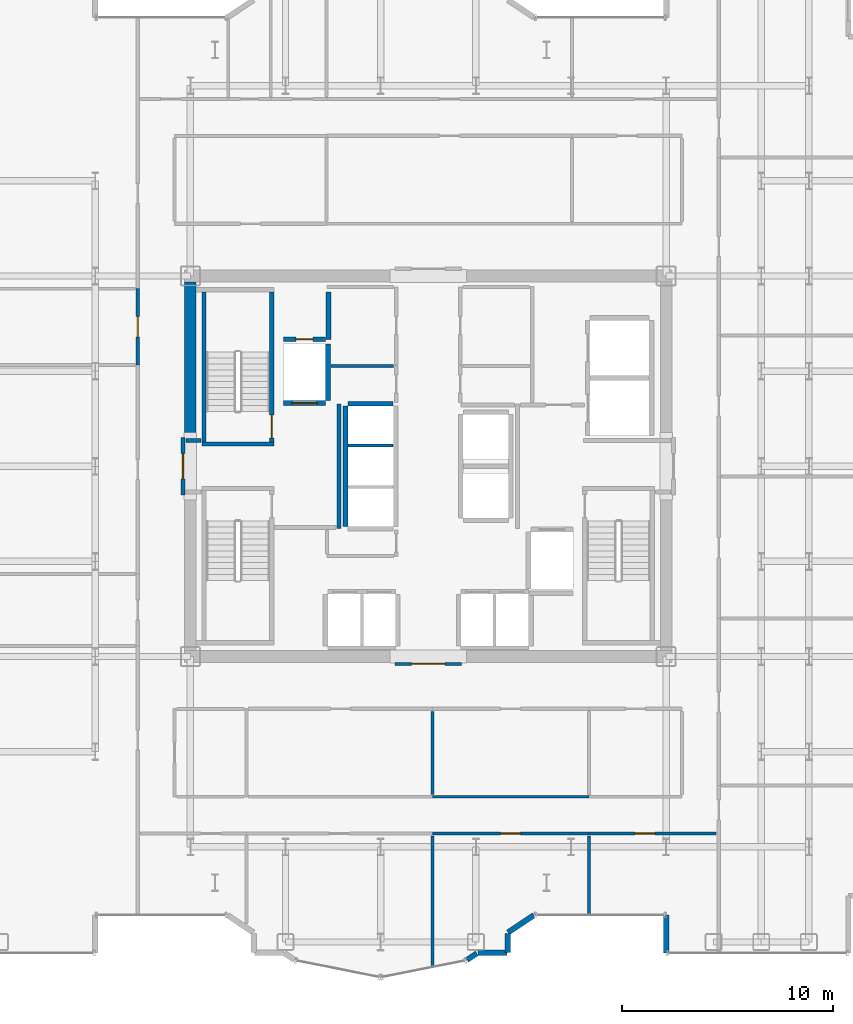
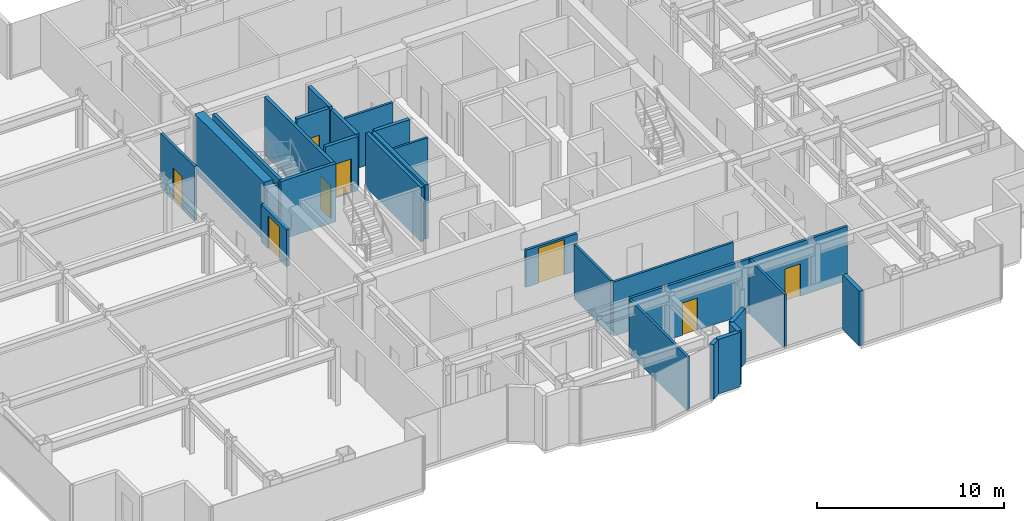
# One storey, part 18 of 23: 28 walls, 8 doors, 8 openings.
"""IFC4 building model written with IfcOpenShell, lengths in metres."""

from ifc_helpers import new_model, si_unit, direction, frame, frame_2d, origin, place, context, subcontext, project, spatial, rectangle, extrude, source, transform, mapped, material, layer, layer_set, type_object, element, fill, save


model = new_model("IFC4")

# Units and contexts
model_context = context("Model", 3, precision=1e-05, world=origin(), true_north=direction((0.0, 1.0)))
body_context = subcontext(model_context, "Body", "Model", "MODEL_VIEW")
ifc_project = project(units=[si_unit("LENGTHUNIT", "METRE"), si_unit("AREAUNIT", "SQUARE_METRE"), si_unit("VOLUMEUNIT", "CUBIC_METRE"), si_unit("PLANEANGLEUNIT", "RADIAN"), si_unit("MASSUNIT", "GRAM", prefix="KILO")], contexts=[model_context])

# Site, building, storey
site_placement = place(None, origin())
site = spatial("IfcSite", under=ifc_project, at=site_placement, CompositionType="ELEMENT")
building_placement = place(site_placement, origin())
building = spatial("IfcBuilding", under=site, at=building_placement, Name="Nefas-Gora Pilgrimage Tower", CompositionType="ELEMENT")
storey_placement = place(building_placement, frame((0.0, 0.0, 167.800048828125)))
storey = spatial("IfcBuildingStorey", under=building, at=storey_placement, Name="L41", CompositionType="ELEMENT", Elevation=167.800048828125)

# Walls
ifc_material_1 = material(Name="Concrete C60/75", Category="concrete")
ifc_layer_1 = layer(ifc_material_1, 0.550048828125)
ifc_layer_set_1 = layer_set([ifc_layer_1], Name="Concrete C60/75")
wall_type_1 = type_object("IfcWallType", Name="SW-CORE-550", PredefinedType="SHEAR", material=ifc_layer_set_1)
shared_shape_1 = source(origin(), body_context, "Body", "SweptSolid", [
    extrude(rectangle(XDim=7.375, YDim=0.550048828125, at=frame_2d((3.6875, 0.0))), origin(), (0.0, 0.0, 1.0), 3.800048828125),
])
wall_1_placement = place(storey_placement, frame((-11.25, 1.35009765625, 0.0), z_axis=(0.0, 0.0, 1.0), x_axis=(0.0, 1.0, 0.0)))
element("IfcWall", 1, at=wall_1_placement, inside=storey, type_object=wall_type_1, Name="L41 Core Shear Wall W-North", PredefinedType="SHEAR", context=body_context, shape_type="MappedRepresentation", body=[
    mapped(shared_shape_1, transform((0.0, 0.0, 0.0), x_axis=(1.0, 0.0, 0.0), y_axis=(0.0, 1.0, 0.0), z_axis=(0.0, 0.0, 1.0), scale=1.0)),
])
ifc_material_2 = material(Name="Precast concrete C40/50", Category="concrete")
ifc_layer_2 = layer(ifc_material_2, 0.260009765625)
ifc_layer_set_2 = layer_set([ifc_layer_2], Name="Precast concrete C40/50")
wall_type_2 = type_object("IfcWallType", Name="EW-PORTAL-260", PredefinedType="SOLIDWALL", material=ifc_layer_set_2)
shared_shape_2 = source(origin(), body_context, "Body", "SweptSolid", [
    extrude(rectangle(XDim=1.800048828125, YDim=0.260009765625, at=frame_2d((0.89990234375, 0.0))), origin(), (0.0, 0.0, 1.0), 3.550048828125),
])
wall_2_placement = place(storey_placement, frame((11.25, -21.219970703125, 0.0), z_axis=(0.0, 0.0, 1.0), x_axis=(0.0, -1.0, 0.0)))
element("IfcWall", 2, at=wall_2_placement, inside=storey, type_object=wall_type_2, Name="L41 Lobe Shoulder Precast Spandrel Pier 1", PredefinedType="SOLIDWALL", context=body_context, shape_type="MappedRepresentation", body=[
    mapped(shared_shape_2, transform((0.0, 0.0, 0.0), x_axis=(1.0, 0.0, 0.0), y_axis=(0.0, 1.0, 0.0), z_axis=(0.0, 0.0, 1.0), scale=1.0)),
])
shared_shape_3 = source(origin(), body_context, "Body", "SweptSolid", [
    extrude(rectangle(XDim=1.468994140625, YDim=0.260009765625, at=frame_2d((0.734375, 0.0))), origin(), (0.0, 0.0, 1.0), 3.550048828125),
])
wall_3_placement = place(storey_placement, frame((3.773193359375, -22.0517578125, 0.0), z_axis=(0.0, 0.0, 1.0), x_axis=(0.831461760506, 0.555581983884, 0.0)))
element("IfcWall", 3, at=wall_3_placement, inside=storey, type_object=wall_type_2, Name="L41 Lobe Shoulder Precast Spandrel Pier 36", PredefinedType="SOLIDWALL", context=body_context, shape_type="MappedRepresentation", body=[
    mapped(shared_shape_3, transform((0.0, 0.0, 0.0), x_axis=(1.0, 0.0, 0.0), y_axis=(0.0, 1.0, 0.0), z_axis=(0.0, 0.0, 1.0), scale=1.0)),
])
shared_shape_4 = source(origin(), body_context, "Body", "SweptSolid", [
    extrude(rectangle(XDim=0.896728515625, YDim=0.260009765625, at=frame_2d((0.4482421875, 0.0))), origin(), (0.0, 0.0, 1.0), 3.550048828125),
])
wall_4_placement = place(storey_placement, frame((3.75, -22.991943359375, 0.0), z_axis=(0.0, 0.0, 1.0), x_axis=(0.0, 1.0, 0.0)))
element("IfcWall", 4, at=wall_4_placement, inside=storey, type_object=wall_type_2, Name="L41 Lobe Shoulder Precast Spandrel Pier 35", PredefinedType="SOLIDWALL", context=body_context, shape_type="MappedRepresentation", body=[
    mapped(shared_shape_4, transform((0.0, 0.0, 0.0), x_axis=(1.0, 0.0, 0.0), y_axis=(0.0, 1.0, 0.0), z_axis=(0.0, 0.0, 1.0), scale=1.0)),
])
shared_shape_5 = source(origin(), body_context, "Body", "SweptSolid", [
    extrude(rectangle(XDim=1.369873046875, YDim=0.260009765625, at=frame_2d((0.68505859375, 0.0))), origin(), (0.0, 0.0, 1.0), 3.550048828125),
])
wall_5_placement = place(storey_placement, frame((2.35205078125, -23.02001953125, 0.0), z_axis=(0.0, 0.0, 1.0), x_axis=(1.0, 0.0, 0.0)))
element("IfcWall", 5, at=wall_5_placement, inside=storey, type_object=wall_type_2, Name="L41 Lobe Shoulder Precast Spandrel Pier 34", PredefinedType="SOLIDWALL", context=body_context, shape_type="MappedRepresentation", body=[
    mapped(shared_shape_5, transform((0.0, 0.0, 0.0), x_axis=(1.0, 0.0, 0.0), y_axis=(0.0, 1.0, 0.0), z_axis=(0.0, 0.0, 1.0), scale=1.0)),
])
shared_shape_6 = source(origin(), body_context, "Body", "SweptSolid", [
    extrude(rectangle(XDim=0.5654296875, YDim=0.260009765625, at=frame_2d((0.28271484375, 0.0))), origin(), (0.0, 0.0, 1.0), 3.550048828125),
])
wall_6_placement = place(storey_placement, frame((1.83056640625, -23.349609375, 0.0), z_axis=(0.0, 0.0, 1.0), x_axis=(0.831651492666, 0.555297933317, 0.0)))
element("IfcWall", 6, at=wall_6_placement, inside=storey, type_object=wall_type_2, Name="L41 Lobe Shoulder Precast Spandrel Pier 33", PredefinedType="SOLIDWALL", context=body_context, shape_type="MappedRepresentation", body=[
    mapped(shared_shape_6, transform((0.0, 0.0, 0.0), x_axis=(1.0, 0.0, 0.0), y_axis=(0.0, 1.0, 0.0), z_axis=(0.0, 0.0, 1.0), scale=1.0)),
])
ifc_material_3 = material(Name="Concrete C45/55", Category="concrete")
ifc_layer_3 = layer(ifc_material_3, 0.199951171875)
ifc_layer_set_3 = layer_set([ifc_layer_3], Name="Concrete C45/55")
wall_type_3 = type_object("IfcWallType", Name="IW-STAIR-200", PredefinedType="SOLIDWALL", material=ifc_layer_set_3)
shared_shape_7 = source(origin(), body_context, "Body", "SweptSolid", [
    extrude(rectangle(XDim=3.39990234375, YDim=0.199951171875, at=frame_2d((1.699951171875, 0.0))), origin(), (0.0, 0.0, 1.0), 3.800048828125),
])
wall_7_placement = place(storey_placement, frame((-7.300048828125, 1.050048828125, 0.0), z_axis=(0.0, 0.0, 1.0), x_axis=(-1.0, 0.0, 0.0)))
element("IfcWall", 7, at=wall_7_placement, inside=storey, type_object=wall_type_3, Name="L41 Stairwell Shear Wall ST-01-near", PredefinedType="SOLIDWALL", context=body_context, shape_type="MappedRepresentation", body=[
    mapped(shared_shape_7, transform((0.0, 0.0, 0.0), x_axis=(1.0, 0.0, 0.0), y_axis=(0.0, 1.0, 0.0), z_axis=(0.0, 0.0, 1.0), scale=1.0)),
])

# Wall, opening, door
shared_shape_8 = source(origin(), body_context, "Body", "SweptSolid", [
    extrude(rectangle(XDim=7.10009765625, YDim=0.199951171875, at=frame_2d((3.550048828125, 0.0))), origin(), (0.0, 0.0, 1.0), 3.800048828125),
])
wall_8_placement = place(storey_placement, frame((-7.39990234375, 1.14990234375, 0.0), z_axis=(0.0, 0.0, 1.0), x_axis=(0.0, 1.0, 0.0)))
wall_8 = element("IfcWall", 8, at=wall_8_placement, inside=storey, type_object=wall_type_3, Name="L41 Stairwell Shear Wall ST-01-left", PredefinedType="SOLIDWALL", context=body_context, shape_type="MappedRepresentation", body=[
    mapped(shared_shape_8, transform((0.0, 0.0, 0.0), x_axis=(1.0, 0.0, 0.0), y_axis=(0.0, 1.0, 0.0), z_axis=(0.0, 0.0, 1.0), scale=1.0)),
])
opening_1_placement = place(wall_8_placement, frame((0.179931640625, 0.0, 0.0)))
opening_1 = element("IfcOpeningElement", 9, at=opening_1_placement, cuts=wall_8, Name="Opening ID-ST1", PredefinedType="OPENING", context=body_context, shape_type="SweptSolid", body=[
    extrude(rectangle(XDim=1.10009765625, YDim=2.14990234375, at=frame_2d((0.550048828125, 1.074951171875))), frame((0.0, 0.10986328125, 0.0), z_axis=(0.0, -1.0, 0.0), x_axis=(1.0, 0.0, 0.0)), (0.0, 0.0, 1.0), 0.219970703125),
])
ifc_material_4 = material(Name="Painted galvanised steel fire stair door", Category="steel")
door_type_1 = type_object("IfcDoorType", Name="DR-INT-STAIR-1100", OperationType="NOTDEFINED", PredefinedType="DOOR", material=ifc_material_4)
shared_shape_9 = source(origin(), body_context, "Body", "SweptSolid", [
    extrude(rectangle(XDim=1.10009765625, YDim=2.14990234375, at=frame_2d((0.550048828125, 1.074951171875))), frame((0.0, 0.02490234375, 0.0), z_axis=(0.0, -1.0, 0.0), x_axis=(1.0, 0.0, 0.0)), (0.0, 0.0, 1.0), 0.050048828125),
])
door_1_placement = place(opening_1_placement, origin())
door_1 = element("IfcDoor", 10, at=door_1_placement, inside=storey, type_object=door_type_1, Name="L41 Protected Exit Stair Door ST-01", OperationType="SINGLE_SWING_LEFT", OverallHeight=2.14990234375, OverallWidth=1.10009765625, PredefinedType="DOOR", context=body_context, shape_type="MappedRepresentation", body=[
    mapped(shared_shape_9, transform((0.0, 0.0, 0.0), x_axis=(1.0, 0.0, 0.0), y_axis=(0.0, 1.0, 0.0), z_axis=(0.0, 0.0, 1.0), scale=1.0)),
])
fill(opening_1, door_1)

# Wall
wall_9_placement = place(storey_placement, frame((-10.60009765625, 1.14990234375, 0.0), z_axis=(0.0, 0.0, 1.0), x_axis=(0.0, 1.0, 0.0)))
element("IfcWall", 11, at=wall_9_placement, inside=storey, type_object=wall_type_3, Name="L41 Stairwell Shear Wall ST-01-right", PredefinedType="SOLIDWALL", context=body_context, shape_type="MappedRepresentation", body=[
    mapped(shared_shape_8, transform((0.0, 0.0, 0.0), x_axis=(1.0, 0.0, 0.0), y_axis=(0.0, 1.0, 0.0), z_axis=(0.0, 0.0, 1.0), scale=1.0)),
])

# Wall, opening, door
ifc_material_5 = material(Name="Concrete C40/50", Category="concrete")
ifc_layer_4 = layer(ifc_material_5, 0.219970703125)
ifc_layer_set_4 = layer_set([ifc_layer_4], Name="Concrete C40/50")
wall_type_4 = type_object("IfcWallType", Name="IW-SHAFT-220", PredefinedType="SOLIDWALL", material=ifc_layer_set_4)
shared_shape_10 = source(origin(), body_context, "Body", "SweptSolid", [
    extrude(rectangle(XDim=2.0, YDim=0.219970703125, at=frame_2d((1.0, 0.0))), origin(), (0.0, 0.0, 1.0), 3.534912109375),
])
wall_10_placement = place(storey_placement, frame((-6.85009765625, 2.989990234375, 0.0), z_axis=(0.0, 0.0, 1.0), x_axis=(1.0, 0.0, 0.0)))
wall_10 = element("IfcWall", 12, at=wall_10_placement, inside=storey, type_object=wall_type_4, Name="L41 Hoistway Wall FFL-01-S", PredefinedType="SOLIDWALL", context=body_context, shape_type="MappedRepresentation", body=[
    mapped(shared_shape_10, transform((0.0, 0.0, 0.0), x_axis=(1.0, 0.0, 0.0), y_axis=(0.0, 1.0, 0.0), z_axis=(0.0, 0.0, 1.0), scale=1.0)),
])
opening_2_placement = place(wall_10_placement, frame((0.39990234375, 0.0, 0.0)))
opening_2 = element("IfcOpeningElement", 13, at=opening_2_placement, cuts=wall_10, Name="Opening LD-FF", PredefinedType="OPENING", context=body_context, shape_type="SweptSolid", body=[
    extrude(rectangle(XDim=1.199951171875, YDim=2.199951171875, at=frame_2d((0.60009765625, 1.10009765625))), frame((0.0, 0.119873046875, 0.0), z_axis=(0.0, -1.0, 0.0), x_axis=(1.0, 0.0, 0.0)), (0.0, 0.0, 1.0), 0.239990234375),
])
ifc_material_6 = material(Name="Fire-service sliding lift landing door")
door_type_2 = type_object("IfcDoorType", Name="DR-LIFT-FSAE-1200", OperationType="SLIDING_TO_LEFT", PredefinedType="DOOR", material=ifc_material_6)
shared_shape_11 = source(origin(), body_context, "Body", "SweptSolid", [
    extrude(rectangle(XDim=1.199951171875, YDim=2.199951171875, at=frame_2d((0.60009765625, 1.10009765625))), frame((0.0, 0.02490234375, 0.0), z_axis=(0.0, -1.0, 0.0), x_axis=(1.0, 0.0, 0.0)), (0.0, 0.0, 1.0), 0.050048828125),
])
door_2_placement = place(opening_2_placement, origin())
door_2 = element("IfcDoor", 14, at=door_2_placement, inside=storey, type_object=door_type_2, Name="L41 Sliding Lift Landing Door FFL-01", OperationType="SLIDING_TO_LEFT", OverallHeight=2.199951171875, OverallWidth=1.199951171875, PredefinedType="DOOR", context=body_context, shape_type="MappedRepresentation", body=[
    mapped(shared_shape_11, transform((0.0, 0.0, 0.0), x_axis=(1.0, 0.0, 0.0), y_axis=(0.0, 1.0, 0.0), z_axis=(0.0, 0.0, 1.0), scale=1.0)),
])
fill(opening_2, door_2)

# Walls
shared_shape_12 = source(origin(), body_context, "Body", "SweptSolid", [
    extrude(rectangle(XDim=2.679931640625, YDim=0.219970703125, at=frame_2d((1.33984375, 0.0))), origin(), (0.0, 0.0, 1.0), 3.534912109375),
])
wall_11_placement = place(storey_placement, frame((-4.739990234375, 3.110107421875, 0.0), z_axis=(0.0, 0.0, 1.0), x_axis=(0.0, 1.0, 0.0)))
element("IfcWall", 15, at=wall_11_placement, inside=storey, type_object=wall_type_4, Name="L41 Hoistway Wall FFL-01-E", PredefinedType="SOLIDWALL", context=body_context, shape_type="MappedRepresentation", body=[
    mapped(shared_shape_12, transform((0.0, 0.0, 0.0), x_axis=(1.0, 0.0, 0.0), y_axis=(0.0, 1.0, 0.0), z_axis=(0.0, 0.0, 1.0), scale=1.0)),
])
shared_shape_13 = source(origin(), body_context, "Body", "SweptSolid", [
    extrude(rectangle(XDim=5.7001953125, YDim=0.219970703125, at=frame_2d((2.85009765625, 0.0))), origin(), (0.0, 0.0, 1.0), 3.534912109375),
])
wall_12_placement = place(storey_placement, frame((-3.909912109375, 2.85009765625, 0.0), z_axis=(0.0, 0.0, 1.0), x_axis=(0.0, -1.0, 0.0)))
element("IfcWall", 16, at=wall_12_placement, inside=storey, type_object=wall_type_4, Name="L41 Hoistway Wall PL3-01-03-W", PredefinedType="SOLIDWALL", context=body_context, shape_type="MappedRepresentation", body=[
    mapped(shared_shape_13, transform((0.0, 0.0, 0.0), x_axis=(1.0, 0.0, 0.0), y_axis=(0.0, 1.0, 0.0), z_axis=(0.0, 0.0, 1.0), scale=1.0)),
])
shared_shape_14 = source(origin(), body_context, "Body", "SweptSolid", [
    extrude(rectangle(XDim=2.130126953125, YDim=0.219970703125, at=frame_2d((1.06494140625, 0.0))), origin(), (0.0, 0.0, 1.0), 3.534912109375),
])
wall_13_placement = place(storey_placement, frame((-1.659912109375, 2.9599609375, 0.0), z_axis=(0.0, 0.0, 1.0), x_axis=(-1.0, 0.0, 0.0)))
element("IfcWall", 17, at=wall_13_placement, inside=storey, type_object=wall_type_4, Name="L41 Hoistway Wall PL3-03-N", PredefinedType="SOLIDWALL", context=body_context, shape_type="MappedRepresentation", body=[
    mapped(shared_shape_14, transform((0.0, 0.0, 0.0), x_axis=(1.0, 0.0, 0.0), y_axis=(0.0, 1.0, 0.0), z_axis=(0.0, 0.0, 1.0), scale=1.0)),
])
ifc_material_7 = material(Name="Gypsum twin-stud partition")
ifc_layer_5 = layer(ifc_material_7, 0.139892578125)
ifc_layer_set_5 = layer_set([ifc_layer_5], Name="Gypsum twin-stud partition")
wall_type_5 = type_object("IfcWallType", Name="IW-UNIT-140", PredefinedType="PARTITIONING", material=ifc_layer_set_5)
shared_shape_15 = source(origin(), body_context, "Body", "SweptSolid", [
    extrude(rectangle(XDim=2.130126953125, YDim=0.139892578125, at=frame_2d((1.06494140625, 0.0))), origin(), (0.0, 0.0, 1.0), 3.534912109375),
])
wall_14_placement = place(storey_placement, frame((-3.7900390625, 0.97509765625, 0.0), z_axis=(0.0, 0.0, 1.0), x_axis=(1.0, 0.0, 0.0)))
element("IfcWall", 18, at=wall_14_placement, inside=storey, type_object=wall_type_5, Name="L41 Hoistway Wall PL3-02-03-DIV", PredefinedType="PARTITIONING", context=body_context, shape_type="MappedRepresentation", body=[
    mapped(shared_shape_15, transform((0.0, 0.0, 0.0), x_axis=(1.0, 0.0, 0.0), y_axis=(0.0, 1.0, 0.0), z_axis=(0.0, 0.0, 1.0), scale=1.0)),
])

# Wall, opening, door
ifc_material_8 = material(Name="Gypsum fire-rated shaftwall")
ifc_layer_6 = layer(ifc_material_8, 0.199951171875)
ifc_layer_set_6 = layer_set([ifc_layer_6], Name="Gypsum fire-rated shaftwall")
wall_type_6 = type_object("IfcWallType", Name="IW-FFLOB-200", PredefinedType="PARTITIONING", material=ifc_layer_set_6)
shared_shape_16 = source(origin(), body_context, "Body", "SweptSolid", [
    extrude(rectangle(XDim=2.7001953125, YDim=0.199951171875, at=frame_2d((1.35009765625, 0.0))), origin(), (0.0, 0.0, 1.0), 2.425048828125),
])
wall_15_placement = place(storey_placement, frame((-11.60009765625, -1.35009765625, 0.0), z_axis=(0.0, 0.0, 1.0), x_axis=(0.0, 1.0, 0.0)))
wall_15 = element("IfcWall", 19, at=wall_15_placement, inside=storey, type_object=wall_type_6, Name="L41 FF Lobby West Portal Wall 4", PredefinedType="PARTITIONING", context=body_context, shape_type="MappedRepresentation", body=[
    mapped(shared_shape_16, transform((0.0, 0.0, 0.0), x_axis=(1.0, 0.0, 0.0), y_axis=(0.0, 1.0, 0.0), z_axis=(0.0, 0.0, 1.0), scale=1.0)),
])
opening_3_placement = place(wall_15_placement, frame((0.75, 0.0, 0.0)))
opening_3 = element("IfcOpeningElement", 20, at=opening_3_placement, cuts=wall_15, Name="Opening ID-FF1", PredefinedType="OPENING", context=body_context, shape_type="SweptSolid", body=[
    extrude(rectangle(XDim=1.199951171875, YDim=2.14990234375, at=frame_2d((0.60009765625, 1.074951171875))), frame((0.0, 0.10986328125, 0.0), z_axis=(0.0, -1.0, 0.0), x_axis=(1.0, 0.0, 0.0)), (0.0, 0.0, 1.0), 0.219970703125),
])
ifc_material_9 = material(Name="Smoke-sealed steel firefighting lobby door", Category="steel")
door_type_3 = type_object("IfcDoorType", Name="DR-INT-FFLOB-1200", OperationType="NOTDEFINED", PredefinedType="DOOR", material=ifc_material_9)
shared_shape_17 = source(origin(), body_context, "Body", "SweptSolid", [
    extrude(rectangle(XDim=1.199951171875, YDim=2.14990234375, at=frame_2d((0.60009765625, 1.074951171875))), frame((0.0, 0.02490234375, 0.0), z_axis=(0.0, -1.0, 0.0), x_axis=(1.0, 0.0, 0.0)), (0.0, 0.0, 1.0), 0.050048828125),
])
door_3_placement = place(opening_3_placement, origin())
door_3 = element("IfcDoor", 21, at=door_3_placement, inside=storey, type_object=door_type_3, Name="L41 FF Lobby West Portal Door 2", OperationType="SINGLE_SWING_LEFT", OverallHeight=2.14990234375, OverallWidth=1.199951171875, PredefinedType="DOOR", context=body_context, shape_type="MappedRepresentation", body=[
    mapped(shared_shape_17, transform((0.0, 0.0, 0.0), x_axis=(1.0, 0.0, 0.0), y_axis=(0.0, 1.0, 0.0), z_axis=(0.0, 0.0, 1.0), scale=1.0)),
])
fill(opening_3, door_3)

# Walls
shared_shape_18 = source(origin(), body_context, "Body", "SweptSolid", [
    extrude(rectangle(XDim=5.89990234375, YDim=0.199951171875, at=frame_2d((2.949951171875, 0.0))), origin(), (0.0, 0.0, 1.0), 3.534912109375),
])
wall_16_placement = place(storey_placement, frame((-4.219970703125, -2.949951171875, 0.0), z_axis=(0.0, 0.0, 1.0), x_axis=(0.0, 1.0, 0.0)))
element("IfcWall", 22, at=wall_16_placement, inside=storey, type_object=wall_type_6, Name="L41 FF Lobby West Inner Wall Wall 5", PredefinedType="PARTITIONING", context=body_context, shape_type="MappedRepresentation", body=[
    mapped(shared_shape_18, transform((0.0, 0.0, 0.0), x_axis=(1.0, 0.0, 0.0), y_axis=(0.0, 1.0, 0.0), z_axis=(0.0, 0.0, 1.0), scale=1.0)),
])
shared_shape_19 = source(origin(), body_context, "Body", "SweptSolid", [
    extrude(rectangle(XDim=0.719970703125, YDim=0.199951171875, at=frame_2d((0.35986328125, 0.0))), origin(), (0.0, 0.0, 1.0), 3.534912109375),
])
wall_17_placement = place(storey_placement, frame((-11.4599609375, 1.219970703125, 0.0), z_axis=(0.0, 0.0, 1.0), x_axis=(1.0, 0.0, 0.0)))
element("IfcWall", 23, at=wall_17_placement, inside=storey, type_object=wall_type_6, Name="L41 FF Lobby West Throat N Wall 7", PredefinedType="PARTITIONING", context=body_context, shape_type="MappedRepresentation", body=[
    mapped(shared_shape_19, transform((0.0, 0.0, 0.0), x_axis=(1.0, 0.0, 0.0), y_axis=(0.0, 1.0, 0.0), z_axis=(0.0, 0.0, 1.0), scale=1.0)),
])
shared_shape_20 = source(origin(), body_context, "Body", "SweptSolid", [
    extrude(rectangle(XDim=2.9501953125, YDim=0.139892578125, at=frame_2d((1.47509765625, 0.0))), origin(), (0.0, 0.0, 1.0), 3.534912109375),
])
wall_18_placement = place(storey_placement, frame((-4.590087890625, 4.75, 0.0), z_axis=(0.0, 0.0, 1.0), x_axis=(1.0, 0.0, 0.0)))
element("IfcWall", 24, at=wall_18_placement, inside=storey, type_object=wall_type_5, Name="L41 Housekeeping and Linen Store Partition Wall 19", PredefinedType="PARTITIONING", context=body_context, shape_type="MappedRepresentation", body=[
    mapped(shared_shape_20, transform((0.0, 0.0, 0.0), x_axis=(1.0, 0.0, 0.0), y_axis=(0.0, 1.0, 0.0), z_axis=(0.0, 0.0, 1.0), scale=1.0)),
])

# Wall, opening, door
ifc_material_10 = material(Name="Gypsum acoustic stud partition")
ifc_layer_7 = layer(ifc_material_10, 0.159912109375)
ifc_layer_set_7 = layer_set([ifc_layer_7], Name="Gypsum acoustic stud partition")
wall_type_7 = type_object("IfcWallType", Name="IW-CORR-160", PredefinedType="PARTITIONING", material=ifc_layer_set_7)
shared_shape_21 = source(origin(), body_context, "Body", "SweptSolid", [
    extrude(rectangle(XDim=3.610107421875, YDim=0.159912109375, at=frame_2d((1.80517578125, 0.0))), origin(), (0.0, 0.0, 1.0), 3.534912109375),
])
wall_19_placement = place(storey_placement, frame((-13.739990234375, 4.794921875, 0.0), z_axis=(0.0, 0.0, 1.0), x_axis=(0.0, 1.0, 0.0)))
wall_19 = element("IfcWall", 25, at=wall_19_placement, inside=storey, type_object=wall_type_7, Name="L41 Pilgrim Fellowship Seminar Room Partition Wall 38", PredefinedType="PARTITIONING", context=body_context, shape_type="MappedRepresentation", body=[
    mapped(shared_shape_21, transform((0.0, 0.0, 0.0), x_axis=(1.0, 0.0, 0.0), y_axis=(0.0, 1.0, 0.0), z_axis=(0.0, 0.0, 1.0), scale=1.0)),
])
opening_4_placement = place(wall_19_placement, frame((1.330078125, 0.0, 0.0)))
opening_4 = element("IfcOpeningElement", 26, at=opening_4_placement, cuts=wall_19, Name="Opening ID-GR1", PredefinedType="OPENING", context=body_context, shape_type="SweptSolid", body=[
    extrude(rectangle(XDim=0.949951171875, YDim=2.10009765625, at=frame_2d((0.47509765625, 1.050048828125))), frame((0.0, 0.08984375, 0.0), z_axis=(0.0, -1.0, 0.0), x_axis=(1.0, 0.0, 0.0)), (0.0, 0.0, 1.0), 0.179931640625),
])
ifc_material_11 = material(Name="Solid core oak fire-rated guest entrance door")
door_type_4 = type_object("IfcDoorType", Name="DR-INT-GUEST-950", OperationType="NOTDEFINED", PredefinedType="DOOR", material=ifc_material_11)
shared_shape_22 = source(origin(), body_context, "Body", "SweptSolid", [
    extrude(rectangle(XDim=0.949951171875, YDim=2.10009765625, at=frame_2d((0.47509765625, 1.050048828125))), frame((0.0, 0.02490234375, 0.0), z_axis=(0.0, -1.0, 0.0), x_axis=(1.0, 0.0, 0.0)), (0.0, 0.0, 1.0), 0.050048828125),
])
door_4_placement = place(opening_4_placement, origin())
door_4 = element("IfcDoor", 27, at=door_4_placement, inside=storey, type_object=door_type_4, Name="L41 Pilgrim Fellowship Seminar Room Door 16", OperationType="SINGLE_SWING_LEFT", OverallHeight=2.10009765625, OverallWidth=0.949951171875, PredefinedType="DOOR", context=body_context, shape_type="MappedRepresentation", body=[
    mapped(shared_shape_22, transform((0.0, 0.0, 0.0), x_axis=(1.0, 0.0, 0.0), y_axis=(0.0, 1.0, 0.0), z_axis=(0.0, 0.0, 1.0), scale=1.0)),
])
fill(opening_4, door_4)

shared_shape_23 = source(origin(), body_context, "Body", "SweptSolid", [
    extrude(rectangle(XDim=6.025146484375, YDim=0.159912109375, at=frame_2d((3.0126953125, 0.0))), origin(), (0.0, 0.0, 1.0), 3.534912109375),
])
wall_20_placement = place(storey_placement, frame((7.594970703125, -17.3701171875, 0.0), z_axis=(0.0, 0.0, 1.0), x_axis=(1.0, 0.0, 0.0)))
wall_20 = element("IfcWall", 28, at=wall_20_placement, inside=storey, type_object=wall_type_7, Name="L41 Pilgrim Contemplative Lounge Partition Wall 84", PredefinedType="PARTITIONING", context=body_context, shape_type="MappedRepresentation", body=[
    mapped(shared_shape_23, transform((0.0, 0.0, 0.0), x_axis=(1.0, 0.0, 0.0), y_axis=(0.0, 1.0, 0.0), z_axis=(0.0, 0.0, 1.0), scale=1.0)),
])
opening_5_placement = place(wall_20_placement, frame((2.17626953125, 0.0, 0.0)))
opening_5 = element("IfcOpeningElement", 29, at=opening_5_placement, cuts=wall_20, Name="Opening ID-GR1", PredefinedType="OPENING", context=body_context, shape_type="SweptSolid", body=[
    extrude(rectangle(XDim=0.949951171875, YDim=2.10009765625, at=frame_2d((0.47509765625, 1.050048828125))), frame((0.0, 0.08984375, 0.0), z_axis=(0.0, -1.0, 0.0), x_axis=(1.0, 0.0, 0.0)), (0.0, 0.0, 1.0), 0.179931640625),
])
door_5_placement = place(opening_5_placement, origin())
door_5 = element("IfcDoor", 30, at=door_5_placement, inside=storey, type_object=door_type_4, Name="L41 Pilgrim Contemplative Lounge Door 37", OperationType="SINGLE_SWING_RIGHT", OverallHeight=2.10009765625, OverallWidth=0.949951171875, PredefinedType="DOOR", context=body_context, shape_type="MappedRepresentation", body=[
    mapped(shared_shape_22, transform((0.0, 0.0, 0.0), x_axis=(1.0, 0.0, 0.0), y_axis=(0.0, 1.0, 0.0), z_axis=(0.0, 0.0, 1.0), scale=1.0)),
])
fill(opening_5, door_5)

shared_shape_24 = source(origin(), body_context, "Body", "SweptSolid", [
    extrude(rectangle(XDim=3.16015625, YDim=0.159912109375, at=frame_2d((1.580078125, 0.0))), origin(), (0.0, 0.0, 1.0), 2.425048828125),
])
wall_21_placement = place(storey_placement, frame((-1.580078125, -9.35009765625, 0.0), z_axis=(0.0, 0.0, 1.0), x_axis=(1.0, 0.0, 0.0)))
wall_21 = element("IfcWall", 31, at=wall_21_placement, inside=storey, type_object=wall_type_7, Name="L41 Central Lift Lobby South Portal Wall 16", PredefinedType="PARTITIONING", context=body_context, shape_type="MappedRepresentation", body=[
    mapped(shared_shape_24, transform((0.0, 0.0, 0.0), x_axis=(1.0, 0.0, 0.0), y_axis=(0.0, 1.0, 0.0), z_axis=(0.0, 0.0, 1.0), scale=1.0)),
])
opening_6_placement = place(wall_21_placement, frame((0.780029296875, 0.0, 0.0)))
opening_6 = element("IfcOpeningElement", 32, at=opening_6_placement, cuts=wall_21, Name="Opening ID-HL1", PredefinedType="OPENING", context=body_context, shape_type="SweptSolid", body=[
    extrude(rectangle(XDim=1.60009765625, YDim=2.300048828125, at=frame_2d((0.800048828125, 1.14990234375))), frame((0.0, 0.08984375, 0.0), z_axis=(0.0, -1.0, 0.0), x_axis=(1.0, 0.0, 0.0)), (0.0, 0.0, 1.0), 0.179931640625),
])
ifc_material_12 = material(Name="Double acoustic timber assembly hall door", Category="wood")
door_type_5 = type_object("IfcDoorType", Name="DR-INT-HALL-1600", OperationType="DOUBLE_DOOR_SINGLE_SWING", PredefinedType="DOOR", material=ifc_material_12)
shared_shape_25 = source(origin(), body_context, "Body", "SweptSolid", [
    extrude(rectangle(XDim=1.60009765625, YDim=2.300048828125, at=frame_2d((0.800048828125, 1.14990234375))), frame((0.0, 0.02490234375, 0.0), z_axis=(0.0, -1.0, 0.0), x_axis=(1.0, 0.0, 0.0)), (0.0, 0.0, 1.0), 0.050048828125),
])
door_6_placement = place(opening_6_placement, origin())
door_6 = element("IfcDoor", 33, at=door_6_placement, inside=storey, type_object=door_type_5, Name="L41 Central Lift Lobby South Portal Door 6", OperationType="DOUBLE_DOOR_SINGLE_SWING", OverallHeight=2.300048828125, OverallWidth=1.60009765625, PredefinedType="DOOR", context=body_context, shape_type="MappedRepresentation", body=[
    mapped(shared_shape_25, transform((0.0, 0.0, 0.0), x_axis=(1.0, 0.0, 0.0), y_axis=(0.0, 1.0, 0.0), z_axis=(0.0, 0.0, 1.0), scale=1.0)),
])
fill(opening_6, door_6)

# Wall
shared_shape_26 = source(origin(), body_context, "Body", "SweptSolid", [
    extrude(rectangle(XDim=3.929931640625, YDim=0.139892578125, at=frame_2d((1.96484375, 0.0))), origin(), (0.0, 0.0, 1.0), 3.534912109375),
])
wall_22_placement = place(storey_placement, frame((0.195068359375, -15.52001953125, 0.0), z_axis=(0.0, 0.0, 1.0), x_axis=(0.0, 1.0, 0.0)))
element("IfcWall", 34, at=wall_22_placement, inside=storey, type_object=wall_type_5, Name="L41 Pilgrim Contemplative Lounge Partition Wall 78", PredefinedType="PARTITIONING", context=body_context, shape_type="MappedRepresentation", body=[
    mapped(shared_shape_26, transform((0.0, 0.0, 0.0), x_axis=(1.0, 0.0, 0.0), y_axis=(0.0, 1.0, 0.0), z_axis=(0.0, 0.0, 1.0), scale=1.0)),
])

# Wall, opening, door
shared_shape_27 = source(origin(), body_context, "Body", "SweptSolid", [
    extrude(rectangle(XDim=7.409912109375, YDim=0.159912109375, at=frame_2d((3.705078125, 0.0))), origin(), (0.0, 0.0, 1.0), 3.534912109375),
])
wall_23_placement = place(storey_placement, frame((0.195068359375, -17.3701171875, 0.0), z_axis=(0.0, 0.0, 1.0), x_axis=(1.0, 0.0, 0.0)))
wall_23 = element("IfcWall", 35, at=wall_23_placement, inside=storey, type_object=wall_type_7, Name="L41 Pilgrim Contemplative Lounge Partition Wall 79", PredefinedType="PARTITIONING", context=body_context, shape_type="MappedRepresentation", body=[
    mapped(shared_shape_27, transform((0.0, 0.0, 0.0), x_axis=(1.0, 0.0, 0.0), y_axis=(0.0, 1.0, 0.0), z_axis=(0.0, 0.0, 1.0), scale=1.0)),
])
opening_7_placement = place(wall_23_placement, frame((3.22998046875, 0.0, 0.0)))
opening_7 = element("IfcOpeningElement", 36, at=opening_7_placement, cuts=wall_23, Name="Opening ID-GR1", PredefinedType="OPENING", context=body_context, shape_type="SweptSolid", body=[
    extrude(rectangle(XDim=0.949951171875, YDim=2.10009765625, at=frame_2d((0.47509765625, 1.050048828125))), frame((0.0, 0.08984375, 0.0), z_axis=(0.0, -1.0, 0.0), x_axis=(1.0, 0.0, 0.0)), (0.0, 0.0, 1.0), 0.179931640625),
])
door_7_placement = place(opening_7_placement, origin())
door_7 = element("IfcDoor", 37, at=door_7_placement, inside=storey, type_object=door_type_4, Name="L41 Pilgrim Contemplative Lounge Door 35", OperationType="SINGLE_SWING_RIGHT", OverallHeight=2.10009765625, OverallWidth=0.949951171875, PredefinedType="DOOR", context=body_context, shape_type="MappedRepresentation", body=[
    mapped(shared_shape_22, transform((0.0, 0.0, 0.0), x_axis=(1.0, 0.0, 0.0), y_axis=(0.0, 1.0, 0.0), z_axis=(0.0, 0.0, 1.0), scale=1.0)),
])
fill(opening_7, door_7)

# Walls
shared_shape_28 = source(origin(), body_context, "Body", "SweptSolid", [
    extrude(rectangle(XDim=7.409912109375, YDim=0.139892578125, at=frame_2d((3.705078125, 0.0))), origin(), (0.0, 0.0, 1.0), 3.534912109375),
])
wall_24_placement = place(storey_placement, frame((0.195068359375, -15.6298828125, 0.0), z_axis=(0.0, 0.0, 1.0), x_axis=(1.0, 0.0, 0.0)))
element("IfcWall", 38, at=wall_24_placement, inside=storey, type_object=wall_type_5, Name="L41 Pilgrim Contemplative Lounge Partition Wall 82", PredefinedType="PARTITIONING", context=body_context, shape_type="MappedRepresentation", body=[
    mapped(shared_shape_28, transform((0.0, 0.0, 0.0), x_axis=(1.0, 0.0, 0.0), y_axis=(0.0, 1.0, 0.0), z_axis=(0.0, 0.0, 1.0), scale=1.0)),
])
shared_shape_29 = source(origin(), body_context, "Body", "SweptSolid", [
    extrude(rectangle(XDim=3.75, YDim=0.139892578125, at=frame_2d((1.875, 0.0))), origin(), (0.0, 0.0, 1.0), 3.534912109375),
])
wall_25_placement = place(storey_placement, frame((7.594970703125, -21.239990234375, 0.0), z_axis=(0.0, 0.0, 1.0), x_axis=(0.0, 1.0, 0.0)))
element("IfcWall", 39, at=wall_25_placement, inside=storey, type_object=wall_type_5, Name="L41 Pilgrim Contemplative Lounge Partition Wall 80", PredefinedType="PARTITIONING", context=body_context, shape_type="MappedRepresentation", body=[
    mapped(shared_shape_29, transform((0.0, 0.0, 0.0), x_axis=(1.0, 0.0, 0.0), y_axis=(0.0, 1.0, 0.0), z_axis=(0.0, 0.0, 1.0), scale=1.0)),
])
shared_shape_30 = source(origin(), body_context, "Body", "SweptSolid", [
    extrude(rectangle(XDim=2.25, YDim=0.219970703125, at=frame_2d((1.125, 0.0))), origin(), (0.0, 0.0, 1.0), 3.534912109375),
])
wall_26_placement = place(storey_placement, frame((-4.719970703125, 6.0, 0.0), z_axis=(0.0, 0.0, 1.0), x_axis=(0.0, 1.0, 0.0)))
element("IfcWall", 40, at=wall_26_placement, inside=storey, type_object=wall_type_4, Name="L41 Riser Shaft Wall 1", PredefinedType="SOLIDWALL", context=body_context, shape_type="MappedRepresentation", body=[
    mapped(shared_shape_30, transform((0.0, 0.0, 0.0), x_axis=(1.0, 0.0, 0.0), y_axis=(0.0, 1.0, 0.0), z_axis=(0.0, 0.0, 1.0), scale=1.0)),
])

# Wall, opening, door
shared_shape_31 = source(origin(), body_context, "Body", "SweptSolid", [
    extrude(rectangle(XDim=1.97998046875, YDim=0.219970703125, at=frame_2d((0.989990234375, 0.0))), origin(), (0.0, 0.0, 1.0), 3.534912109375),
])
wall_27_placement = place(storey_placement, frame((-6.85009765625, 6.0, 0.0), z_axis=(0.0, 0.0, 1.0), x_axis=(1.0, 0.0, 0.0)))
wall_27 = element("IfcWall", 41, at=wall_27_placement, inside=storey, type_object=wall_type_4, Name="L41 Riser Shaft Wall 2", PredefinedType="SOLIDWALL", context=body_context, shape_type="MappedRepresentation", body=[
    mapped(shared_shape_31, transform((0.0, 0.0, 0.0), x_axis=(1.0, 0.0, 0.0), y_axis=(0.0, 1.0, 0.0), z_axis=(0.0, 0.0, 1.0), scale=1.0)),
])
opening_8_placement = place(wall_27_placement, frame((0.590087890625, 0.0, 0.0)))
opening_8 = element("IfcOpeningElement", 42, at=opening_8_placement, cuts=wall_27, Name="Opening ID-TR1", PredefinedType="OPENING", context=body_context, shape_type="SweptSolid", body=[
    extrude(rectangle(XDim=0.800048828125, YDim=2.0, at=frame_2d((0.39990234375, 1.0))), frame((0.0, 0.119873046875, 0.0), z_axis=(0.0, -1.0, 0.0), x_axis=(1.0, 0.0, 0.0)), (0.0, 0.0, 1.0), 0.239990234375),
])
ifc_material_13 = material(Name="Riser maintenance fire access door")
door_type_6 = type_object("IfcDoorType", Name="DR-INT-TRAP-800", OperationType="NOTDEFINED", PredefinedType="TRAPDOOR", material=ifc_material_13)
shared_shape_32 = source(origin(), body_context, "Body", "SweptSolid", [
    extrude(rectangle(XDim=0.800048828125, YDim=2.0, at=frame_2d((0.39990234375, 1.0))), frame((0.0, 0.02490234375, 0.0), z_axis=(0.0, -1.0, 0.0), x_axis=(1.0, 0.0, 0.0)), (0.0, 0.0, 1.0), 0.050048828125),
])
door_8_placement = place(opening_8_placement, origin())
door_8 = element("IfcDoor", 43, at=door_8_placement, inside=storey, type_object=door_type_6, Name="L41 Riser Shaft Door 1", OperationType="SINGLE_SWING_RIGHT", OverallHeight=2.0, OverallWidth=0.800048828125, PredefinedType="TRAPDOOR", context=body_context, shape_type="MappedRepresentation", body=[
    mapped(shared_shape_32, transform((0.0, 0.0, 0.0), x_axis=(1.0, 0.0, 0.0), y_axis=(0.0, 1.0, 0.0), z_axis=(0.0, 0.0, 1.0), scale=1.0)),
])
fill(opening_8, door_8)

# Wall
shared_shape_33 = source(origin(), body_context, "Body", "SweptSolid", [
    extrude(rectangle(XDim=6.21630859375, YDim=0.139892578125, at=frame_2d((3.108154296875, 0.0))), origin(), (0.0, 0.0, 1.0), 3.534912109375),
])
wall_28_placement = place(storey_placement, frame((0.195068359375, -23.706298828125, 0.0), z_axis=(0.0, 0.0, 1.0), x_axis=(0.0, 1.0, 0.0)))
element("IfcWall", 44, at=wall_28_placement, inside=storey, type_object=wall_type_5, Name="L41 Pilgrim Contemplative Lounge Partition Wall 75", PredefinedType="PARTITIONING", context=body_context, shape_type="MappedRepresentation", body=[
    mapped(shared_shape_33, transform((0.0, 0.0, 0.0), x_axis=(1.0, 0.0, 0.0), y_axis=(0.0, 1.0, 0.0), z_axis=(0.0, 0.0, 1.0), scale=1.0)),
])

save(model, "model.ifc")
